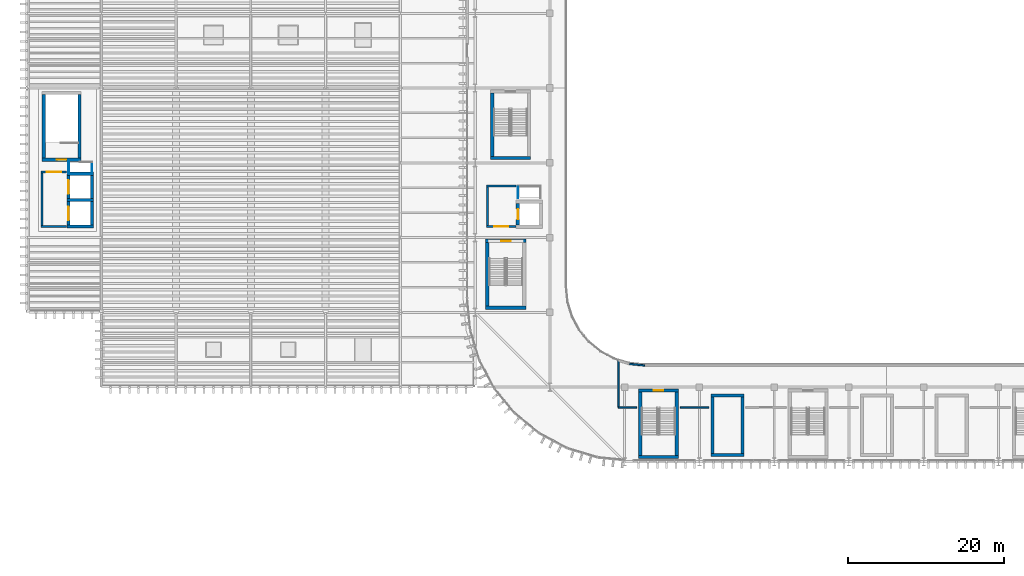
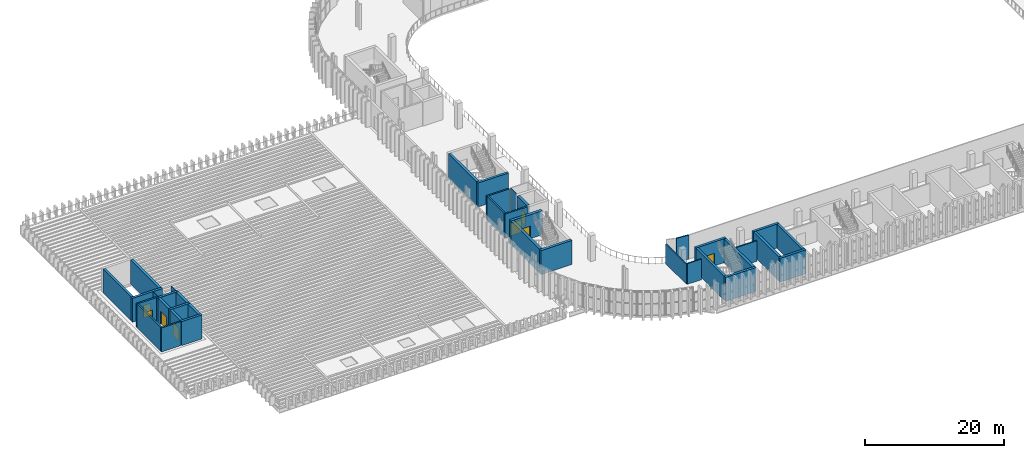
# One storey, part 56 of 92: 37 walls, 8 doors, 8 openings.
"""IFC4 building model written with IfcOpenShell, lengths in metres."""

from ifc_helpers import new_model, si_unit, direction, frame, frame_2d, origin, place, context, subcontext, project, spatial, rectangle, extrude, material, layer, layer_set, type_object, element, fill, save


model = new_model("IFC4")

# Units and contexts
model_context = context("Model", 3, precision=1e-05, world=origin(), true_north=direction((0.0, 1.0)))
body_context = subcontext(model_context, "Body", "Model", "MODEL_VIEW")
ifc_project = project(units=[si_unit("LENGTHUNIT", "METRE"), si_unit("AREAUNIT", "SQUARE_METRE"), si_unit("VOLUMEUNIT", "CUBIC_METRE"), si_unit("PLANEANGLEUNIT", "RADIAN"), si_unit("MASSUNIT", "GRAM", prefix="KILO")], contexts=[model_context])

# Site, building, storey
site_placement = place(None, origin())
site = spatial("IfcSite", under=ifc_project, at=site_placement, CompositionType="ELEMENT")
building_placement = place(site_placement, origin())
building = spatial("IfcBuilding", under=site, at=building_placement, Name="Caelomonte Colonnade Arena", CompositionType="ELEMENT")
storey_placement = place(building_placement, frame((0.0, 0.0, 9.60009765625)))
storey = spatial("IfcBuildingStorey", under=building, at=storey_placement, Name="L02", CompositionType="ELEMENT", Elevation=9.60009765625)

# Wall, opening, door
ifc_material_1 = material(Name="Concrete C40/50", Category="concrete")
ifc_layer_1 = layer(ifc_material_1, 0.260009765625)
ifc_layer_set_1 = layer_set([ifc_layer_1], Name="Concrete C40/50")
wall_type_1 = type_object("IfcWallType", Name="INT-WL-FW26", PredefinedType="SOLIDWALL", material=ifc_layer_set_1)
wall_1_placement = place(storey_placement, frame((59.070068359375, 49.39990234375, 0.0), z_axis=(0.0, 0.0, 1.0), x_axis=(1.0, 0.0, 0.0)))
wall_1 = element("IfcWall", 1, at=wall_1_placement, inside=storey, type_object=wall_type_1, Name="FW-C1-LB L02 south enclosure wall", PredefinedType="SOLIDWALL", context=body_context, shape_type="SweptSolid", body=[
    extrude(rectangle(XDim=3.760009765625, YDim=0.260009765625, at=frame_2d((1.8798828125, 0.0))), origin(), (0.0, 0.0, 1.0), 4.219970703125),
])
opening_1_placement = place(wall_1_placement, frame((2.80517578125, 0.0, 0.0), z_axis=(0.0, 0.0, 1.0), x_axis=(-1.0, 0.0, 0.0)))
opening_1 = element("IfcOpeningElement", 2, at=opening_1_placement, cuts=wall_1, Name="Opening FD-2", PredefinedType="OPENING", context=body_context, shape_type="SweptSolid", body=[
    extrude(rectangle(XDim=1.85009765625, YDim=2.25, at=frame_2d((0.925048828125, 1.125))), frame((0.0, 0.139892578125, 0.0), z_axis=(0.0, -1.0, 0.0), x_axis=(1.0, 0.0, 0.0)), (0.0, 0.0, 1.0), 0.280029296875),
])
ifc_material_2 = material(Name="Fire-rated double steel door", Category="steel")
door_type_1 = type_object("IfcDoorType", Name="INT-DR-FD90B", OperationType="DOUBLE_DOOR_SINGLE_SWING", PredefinedType="DOOR", material=ifc_material_2)
door_1_placement = place(opening_1_placement, origin())
door_1 = element("IfcDoor", 3, at=door_1_placement, inside=storey, type_object=door_type_1, Name="Core C1 L02 lobby fire door", OperationType="DOUBLE_DOOR_SINGLE_SWING", OverallHeight=2.25, OverallWidth=1.85009765625, PredefinedType="DOOR", context=body_context, shape_type="SweptSolid", body=[
    extrude(rectangle(XDim=1.85009765625, YDim=2.25, at=frame_2d((0.925048828125, 1.125))), frame((0.0, 0.02490234375, 0.0), z_axis=(0.0, -1.0, 0.0), x_axis=(1.0, 0.0, 0.0)), (0.0, 0.0, 1.0), 0.050048828125),
])
fill(opening_1, door_1)

# Walls
wall_2_placement = place(storey_placement, frame((62.830078125, 54.60009765625, 0.0), z_axis=(0.0, 0.0, 1.0), x_axis=(-1.0, 0.0, 0.0)))
element("IfcWall", 4, at=wall_2_placement, inside=storey, type_object=wall_type_1, Name="FW-C1-LB L02 north enclosure wall", PredefinedType="SOLIDWALL", context=body_context, shape_type="SweptSolid", body=[
    extrude(rectangle(XDim=3.760009765625, YDim=0.260009765625, at=frame_2d((1.8798828125, 0.0))), origin(), (0.0, 0.0, 1.0), 4.219970703125),
])
wall_3_placement = place(storey_placement, frame((59.199951171875, 54.469970703125, 0.0), z_axis=(0.0, 0.0, 1.0), x_axis=(0.0, -1.0, 0.0)))
element("IfcWall", 5, at=wall_3_placement, inside=storey, type_object=wall_type_1, Name="FW-C1-LB L02 west enclosure wall", PredefinedType="SOLIDWALL", context=body_context, shape_type="SweptSolid", body=[
    extrude(rectangle(XDim=4.93994140625, YDim=0.260009765625, at=frame_2d((2.469970703125, 0.0))), origin(), (0.0, 0.0, 1.0), 4.219970703125),
])
wall_4_placement = place(storey_placement, frame((1.8701171875, 49.39990234375, 0.0), z_axis=(0.0, 0.0, 1.0), x_axis=(1.0, 0.0, 0.0)))
element("IfcWall", 6, at=wall_4_placement, inside=storey, type_object=wall_type_1, Name="FW-C8-LB L02 south enclosure wall", PredefinedType="SOLIDWALL", context=body_context, shape_type="SweptSolid", body=[
    extrude(rectangle(XDim=3.259765625, YDim=0.260009765625, at=frame_2d((1.6298828125, 0.0))), origin(), (0.0, 0.0, 1.0), 4.219970703125),
])

# Wall, opening, door
wall_5_placement = place(storey_placement, frame((5.1298828125, 56.39990234375, 0.0), z_axis=(0.0, 0.0, 1.0), x_axis=(-1.0, 0.0, 0.0)))
wall_5 = element("IfcWall", 7, at=wall_5_placement, inside=storey, type_object=wall_type_1, Name="FW-C8-LB L02 north enclosure wall", PredefinedType="SOLIDWALL", context=body_context, shape_type="SweptSolid", body=[
    extrude(rectangle(XDim=3.259765625, YDim=0.260009765625, at=frame_2d((1.6298828125, 0.0))), origin(), (0.0, 0.0, 1.0), 4.219970703125),
])
opening_2_placement = place(wall_5_placement, frame((2.55517578125, 0.0, 0.0), z_axis=(0.0, 0.0, 1.0), x_axis=(-1.0, 0.0, 0.0)))
opening_2 = element("IfcOpeningElement", 8, at=opening_2_placement, cuts=wall_5, Name="Opening FD-2", PredefinedType="OPENING", context=body_context, shape_type="SweptSolid", body=[
    extrude(rectangle(XDim=1.85009765625, YDim=2.25, at=frame_2d((0.925048828125, 1.125))), frame((0.0, 0.139892578125, 0.0), z_axis=(0.0, -1.0, 0.0), x_axis=(1.0, 0.0, 0.0)), (0.0, 0.0, 1.0), 0.280029296875),
])
door_2_placement = place(opening_2_placement, origin())
door_2 = element("IfcDoor", 9, at=door_2_placement, inside=storey, type_object=door_type_1, Name="Core C8 L02 lobby fire door", OperationType="DOUBLE_DOOR_SINGLE_SWING", OverallHeight=2.25, OverallWidth=1.85009765625, PredefinedType="DOOR", context=body_context, shape_type="SweptSolid", body=[
    extrude(rectangle(XDim=1.85009765625, YDim=2.25, at=frame_2d((0.925048828125, 1.125))), frame((0.0, 0.02490234375, 0.0), z_axis=(0.0, -1.0, 0.0), x_axis=(1.0, 0.0, 0.0)), (0.0, 0.0, 1.0), 0.050048828125),
])
fill(opening_2, door_2)

# Walls
wall_6_placement = place(storey_placement, frame((2.0, 56.27001953125, 0.0), z_axis=(0.0, 0.0, 1.0), x_axis=(0.0, -1.0, 0.0)))
element("IfcWall", 10, at=wall_6_placement, inside=storey, type_object=wall_type_1, Name="FW-C8-LB L02 west enclosure wall", PredefinedType="SOLIDWALL", context=body_context, shape_type="SweptSolid", body=[
    extrude(rectangle(XDim=6.739990234375, YDim=0.260009765625, at=frame_2d((3.3701171875, 0.0))), origin(), (0.0, 0.0, 1.0), 4.219970703125),
])
ifc_material_3 = material(Name="Service shaft lining partition")
ifc_layer_2 = layer(ifc_material_3, 0.10009765625)
ifc_layer_set_2 = layer_set([ifc_layer_2], Name="Service shaft lining partition")
wall_type_2 = type_object("IfcWallType", Name="INT-WL-PT10", PredefinedType="PARTITIONING", material=ifc_layer_set_2)
for number, where, z_axis, x_axis, name in (
    (11, (63.10009765625, 54.550048828125, 0.0), (0.0, 0.0, 1.0), (0.0, -1.0, 0.0), "FW-C1-RS L02 west enclosure wall"),
    (12, (5.39990234375, 57.75, 0.0), (0.0, 0.0, 1.0), (0.0, -1.0, 0.0), "FW-C8-RS L02 west enclosure wall"),
    (13, (8.39990234375, 56.25, 0.0), (0.0, 0.0, 1.0), (0.0, 1.0, 0.0), "FW-C8-RS L02 east enclosure wall"),
):
    element("IfcWall", number, at=place(storey_placement, frame(where, z_axis=z_axis, x_axis=x_axis)), inside=storey, type_object=wall_type_2, Name=name, PredefinedType="PARTITIONING", context=body_context, shape_type="SweptSolid", body=[
        extrude(rectangle(XDim=1.5, YDim=0.10009765625, at=frame_2d((0.75, 0.0))), origin(), (0.0, 0.0, 1.0), 4.219970703125),
    ])
ifc_material_4 = material(Name="Fire-rated gypsum stud partition")
ifc_layer_3 = layer(ifc_material_4, 0.199951171875)
ifc_layer_set_3 = layer_set([ifc_layer_3], Name="Fire-rated gypsum stud partition")
wall_type_3 = type_object("IfcWallType", Name="INT-WL-PT20", PredefinedType="PARTITIONING", material=ifc_layer_set_3)
wall_7_placement = place(storey_placement, frame((77.427490234375, 31.773193359375, 0.0), z_axis=(0.0, 0.0, 1.0), x_axis=(0.995185270943, -0.098011614095, 0.0)))
element("IfcWall", 14, at=wall_7_placement, inside=storey, type_object=wall_type_3, Name="L02 Club Lounge South partition 144", PredefinedType="PARTITIONING", context=body_context, shape_type="SweptSolid", body=[
    extrude(rectangle(XDim=1.96044921875, YDim=0.199951171875, at=frame_2d((0.980224609375, 0.0))), origin(), (0.0, 0.0, 1.0), 4.219970703125),
])
wall_8_placement = place(storey_placement, frame((87.6201171875, 26.199951171875, 0.0), z_axis=(0.0, 0.0, 1.0), x_axis=(-1.0, 0.0, 0.0)))
element("IfcWall", 15, at=wall_8_placement, inside=storey, type_object=wall_type_3, Name="L02 Club Lounge South partition 155", PredefinedType="PARTITIONING", context=body_context, shape_type="SweptSolid", body=[
    extrude(rectangle(XDim=3.670166015625, YDim=0.199951171875, at=frame_2d((1.8349609375, 0.0))), origin(), (0.0, 0.0, 1.0), 3.61279296875),
])
wall_9_placement = place(storey_placement, frame((78.35009765625, 26.199951171875, 0.0), z_axis=(0.0, 0.0, 1.0), x_axis=(-1.0, 0.0, 0.0)))
element("IfcWall", 16, at=wall_9_placement, inside=storey, type_object=wall_type_3, Name="L02 Club Lounge South partition 156", PredefinedType="PARTITIONING", context=body_context, shape_type="SweptSolid", body=[
    extrude(rectangle(XDim=2.35009765625, YDim=0.199951171875, at=frame_2d((1.175048828125, 0.0))), origin(), (0.0, 0.0, 1.0), 3.61279296875),
])
wall_10_placement = place(storey_placement, frame((76.0, 26.199951171875, 0.0), z_axis=(0.0, 0.0, 1.0), x_axis=(0.0, 1.0, 0.0)))
element("IfcWall", 17, at=wall_10_placement, inside=storey, type_object=wall_type_3, Name="L02 Club Lounge South partition 157", PredefinedType="PARTITIONING", context=body_context, shape_type="SweptSolid", body=[
    extrude(rectangle(XDim=6.0, YDim=0.199951171875, at=frame_2d((3.0, 0.0))), origin(), (0.0, 0.0, 1.0), 3.465576171875),
])

# Wall, opening, door
ifc_material_5 = material(Name="Concrete C50/60", Category="concrete")
ifc_layer_4 = layer(ifc_material_5, 0.39990234375)
ifc_layer_set_4 = layer_set([ifc_layer_4], Name="Concrete C50/60")
wall_type_4 = type_object("IfcWallType", Name="INT-WL-SH40", PredefinedType="SHEAR", material=ifc_layer_set_4)
wall_11_placement = place(storey_placement, frame((2.0, 58.0, 0.0), z_axis=(0.0, 0.0, 1.0), x_axis=(1.0, 0.0, 0.0)))
wall_11 = element("IfcWall", 18, at=wall_11_placement, inside=storey, type_object=wall_type_4, Name="CW-C8-ST L02 south enclosure wall", PredefinedType="SHEAR", context=body_context, shape_type="SweptSolid", body=[
    extrude(rectangle(XDim=5.0, YDim=0.39990234375, at=frame_2d((2.5, 0.0))), origin(), (0.0, 0.0, 1.0), 4.219970703125),
])
opening_3_placement = place(wall_11_placement, frame((3.099853515625, 0.0, 0.0), z_axis=(0.0, 0.0, 1.0), x_axis=(-1.0, 0.0, 0.0)))
opening_3 = element("IfcOpeningElement", 19, at=opening_3_placement, cuts=wall_11, Name="Opening FD-1", PredefinedType="OPENING", context=body_context, shape_type="SweptSolid", body=[
    extrude(rectangle(XDim=1.199951171875, YDim=2.199951171875, at=frame_2d((0.60009765625, 1.10009765625))), frame((0.0, 0.2099609375, 0.0), z_axis=(0.0, -1.0, 0.0), x_axis=(1.0, 0.0, 0.0)), (0.0, 0.0, 1.0), 0.419921875),
])
ifc_material_6 = material(Name="Fire-rated steel door", Category="steel")
door_type_2 = type_object("IfcDoorType", Name="INT-DR-FD90A", OperationType="NOTDEFINED", PredefinedType="DOOR", material=ifc_material_6)
door_3_placement = place(opening_3_placement, origin())
door_3 = element("IfcDoor", 20, at=door_3_placement, inside=storey, type_object=door_type_2, Name="Core C8 L02 exit stair fire door", OperationType="SINGLE_SWING_LEFT", OverallHeight=2.199951171875, OverallWidth=1.199951171875, PredefinedType="DOOR", context=body_context, shape_type="SweptSolid", body=[
    extrude(rectangle(XDim=1.199951171875, YDim=2.199951171875, at=frame_2d((0.60009765625, 1.10009765625))), frame((0.0, 0.02490234375, 0.0), z_axis=(0.0, -1.0, 0.0), x_axis=(1.0, 0.0, 0.0)), (0.0, 0.0, 1.0), 0.050048828125),
])
fill(opening_3, door_3)

# Walls
for number, where, z_axis, x_axis, name in (
    (21, (2.199951171875, 66.35009765625, 0.0), (0.0, 0.0, 1.0), (0.0, -1.0, 0.0), "CW-C8-ST L02 west enclosure wall"),
    (22, (6.800048828125, 58.199951171875, 0.0), (0.0, 0.0, 1.0), (0.0, 1.0, 0.0), "CW-C8-ST L02 east enclosure wall"),
):
    element("IfcWall", number, at=place(storey_placement, frame(where, z_axis=z_axis, x_axis=x_axis)), inside=storey, type_object=wall_type_4, Name=name, PredefinedType="SHEAR", context=body_context, shape_type="SweptSolid", body=[
        extrude(rectangle(XDim=8.150146484375, YDim=0.39990234375, at=frame_2d((4.0751953125, 0.0))), origin(), (0.0, 0.0, 1.0), 4.219970703125),
    ])
for number, where, z_axis, x_axis, name in (
    (23, (5.199951171875, 49.39990234375, 0.0), (0.0, 0.0, 1.0), (1.0, 0.0, 0.0), "CW-C8-LF L02 south enclosure wall"),
    (24, (8.60009765625, 52.800048828125, 0.0), (0.0, 0.0, 1.0), (-1.0, 0.0, 0.0), "CW-C8-LF L02 north enclosure wall"),
):
    element("IfcWall", number, at=place(storey_placement, frame(where, z_axis=z_axis, x_axis=x_axis)), inside=storey, type_object=wall_type_4, Name=name, PredefinedType="SHEAR", context=body_context, shape_type="SweptSolid", body=[
        extrude(rectangle(XDim=3.400146484375, YDim=0.39990234375, at=frame_2d((1.7001953125, 0.0))), origin(), (0.0, 0.0, 1.0), 4.219970703125),
    ])

# Wall, opening, door
wall_12_placement = place(storey_placement, frame((5.39990234375, 52.60009765625, 0.0), z_axis=(0.0, 0.0, 1.0), x_axis=(0.0, -1.0, 0.0)))
wall_12 = element("IfcWall", 25, at=wall_12_placement, inside=storey, type_object=wall_type_4, Name="CW-C8-LF L02 west enclosure wall", PredefinedType="SHEAR", context=body_context, shape_type="SweptSolid", body=[
    extrude(rectangle(XDim=3.0, YDim=0.39990234375, at=frame_2d((1.5, 0.0))), origin(), (0.0, 0.0, 1.0), 4.219970703125),
])
opening_4_placement = place(wall_12_placement, frame((0.625, 0.0, 0.0), z_axis=(0.0, 0.0, 1.0), x_axis=(1.0, 0.0, 0.0)))
opening_4 = element("IfcOpeningElement", 26, at=opening_4_placement, cuts=wall_12, Name="Opening LD-LF-07-L02", PredefinedType="OPENING", context=body_context, shape_type="SweptSolid", body=[
    extrude(rectangle(XDim=1.75, YDim=2.35009765625, at=frame_2d((0.875, 1.175048828125))), frame((0.0, 0.2099609375, 0.0), z_axis=(0.0, -1.0, 0.0), x_axis=(1.0, 0.0, 0.0)), (0.0, 0.0, 1.0), 0.419921875),
])
ifc_material_7 = material(Name="Goods lift sliding landing door")
door_type_3 = type_object("IfcDoorType", Name="INT-DR-LD3", OperationType="SLIDING_TO_LEFT", PredefinedType="DOOR", material=ifc_material_7)
door_4_placement = place(opening_4_placement, origin())
door_4 = element("IfcDoor", 27, at=door_4_placement, inside=storey, type_object=door_type_3, Name="Lift LF-07 L02 sliding landing door", OperationType="SLIDING_TO_LEFT", OverallHeight=2.35009765625, OverallWidth=1.75, PredefinedType="DOOR", context=body_context, shape_type="SweptSolid", body=[
    extrude(rectangle(XDim=1.75, YDim=2.35009765625, at=frame_2d((0.875, 1.175048828125))), frame((0.0, 0.02490234375, 0.0), z_axis=(0.0, -1.0, 0.0), x_axis=(1.0, 0.0, 0.0)), (0.0, 0.0, 1.0), 0.050048828125),
])
fill(opening_4, door_4)

# Walls
wall_13_placement = place(storey_placement, frame((8.39990234375, 49.60009765625, 0.0), z_axis=(0.0, 0.0, 1.0), x_axis=(0.0, 1.0, 0.0)))
element("IfcWall", 28, at=wall_13_placement, inside=storey, type_object=wall_type_4, Name="CW-C8-LF L02 east enclosure wall", PredefinedType="SHEAR", context=body_context, shape_type="SweptSolid", body=[
    extrude(rectangle(XDim=3.0, YDim=0.39990234375, at=frame_2d((1.5, 0.0))), origin(), (0.0, 0.0, 1.0), 4.219970703125),
])
wall_14_placement = place(storey_placement, frame((8.60009765625, 56.199951171875, 0.0), z_axis=(0.0, 0.0, 1.0), x_axis=(-1.0, 0.0, 0.0)))
element("IfcWall", 29, at=wall_14_placement, inside=storey, type_object=wall_type_4, Name="CW-C8-LF2 L02 north enclosure wall", PredefinedType="SHEAR", context=body_context, shape_type="SweptSolid", body=[
    extrude(rectangle(XDim=3.400146484375, YDim=0.39990234375, at=frame_2d((1.7001953125, 0.0))), origin(), (0.0, 0.0, 1.0), 4.219970703125),
])

# Wall, opening, door
wall_15_placement = place(storey_placement, frame((5.39990234375, 56.0, 0.0), z_axis=(0.0, 0.0, 1.0), x_axis=(0.0, -1.0, 0.0)))
wall_15 = element("IfcWall", 30, at=wall_15_placement, inside=storey, type_object=wall_type_4, Name="CW-C8-LF2 L02 west enclosure wall", PredefinedType="SHEAR", context=body_context, shape_type="SweptSolid", body=[
    extrude(rectangle(XDim=3.0, YDim=0.39990234375, at=frame_2d((1.5, 0.0))), origin(), (0.0, 0.0, 1.0), 4.219970703125),
])
opening_5_placement = place(wall_15_placement, frame((0.625, 0.0, 0.0), z_axis=(0.0, 0.0, 1.0), x_axis=(1.0, 0.0, 0.0)))
opening_5 = element("IfcOpeningElement", 31, at=opening_5_placement, cuts=wall_15, Name="Opening LD-LF-08-L02", PredefinedType="OPENING", context=body_context, shape_type="SweptSolid", body=[
    extrude(rectangle(XDim=1.75, YDim=2.35009765625, at=frame_2d((0.875, 1.175048828125))), frame((0.0, 0.2099609375, 0.0), z_axis=(0.0, -1.0, 0.0), x_axis=(1.0, 0.0, 0.0)), (0.0, 0.0, 1.0), 0.419921875),
])
door_5_placement = place(opening_5_placement, origin())
door_5 = element("IfcDoor", 32, at=door_5_placement, inside=storey, type_object=door_type_3, Name="Lift LF-08 L02 sliding landing door", OperationType="SLIDING_TO_LEFT", OverallHeight=2.35009765625, OverallWidth=1.75, PredefinedType="DOOR", context=body_context, shape_type="SweptSolid", body=[
    extrude(rectangle(XDim=1.75, YDim=2.35009765625, at=frame_2d((0.875, 1.175048828125))), frame((0.0, 0.02490234375, 0.0), z_axis=(0.0, -1.0, 0.0), x_axis=(1.0, 0.0, 0.0)), (0.0, 0.0, 1.0), 0.050048828125),
])
fill(opening_5, door_5)

# Walls
wall_16_placement = place(storey_placement, frame((8.39990234375, 53.0, 0.0), z_axis=(0.0, 0.0, 1.0), x_axis=(0.0, 1.0, 0.0)))
element("IfcWall", 33, at=wall_16_placement, inside=storey, type_object=wall_type_4, Name="CW-C8-LF2 L02 east enclosure wall", PredefinedType="SHEAR", context=body_context, shape_type="SweptSolid", body=[
    extrude(rectangle(XDim=3.0, YDim=0.39990234375, at=frame_2d((1.5, 0.0))), origin(), (0.0, 0.0, 1.0), 4.219970703125),
])
wall_17_placement = place(storey_placement, frame((59.60009765625, 58.199951171875, 0.0), z_axis=(0.0, 0.0, 1.0), x_axis=(1.0, 0.0, 0.0)))
element("IfcWall", 34, at=wall_17_placement, inside=storey, type_object=wall_type_4, Name="CW-ST-09 L02 south enclosure wall", PredefinedType="SHEAR", context=body_context, shape_type="SweptSolid", body=[
    extrude(rectangle(XDim=5.099853515625, YDim=0.39990234375, at=frame_2d((2.5498046875, 0.0))), origin(), (0.0, 0.0, 1.0), 4.219970703125),
])
wall_18_placement = place(storey_placement, frame((59.800048828125, 66.550048828125, 0.0), z_axis=(0.0, 0.0, 1.0), x_axis=(0.0, -1.0, 0.0)))
element("IfcWall", 35, at=wall_18_placement, inside=storey, type_object=wall_type_4, Name="CW-ST-09 L02 west enclosure wall", PredefinedType="SHEAR", context=body_context, shape_type="SweptSolid", body=[
    extrude(rectangle(XDim=8.150146484375, YDim=0.39990234375, at=frame_2d((4.0751953125, 0.0))), origin(), (0.0, 0.0, 1.0), 4.219970703125),
])
wall_19_placement = place(storey_placement, frame((78.60009765625, 19.800048828125, 0.0), z_axis=(0.0, 0.0, 1.0), x_axis=(1.0, 0.0, 0.0)))
element("IfcWall", 36, at=wall_19_placement, inside=storey, type_object=wall_type_4, Name="CW-ST-11 L02 south enclosure wall", PredefinedType="SHEAR", context=body_context, shape_type="SweptSolid", body=[
    extrude(rectangle(XDim=5.099853515625, YDim=0.39990234375, at=frame_2d((2.5498046875, 0.0))), origin(), (0.0, 0.0, 1.0), 4.219970703125),
])

# Wall, opening, door
wall_20_placement = place(storey_placement, frame((83.699951171875, 28.35009765625, 0.0), z_axis=(0.0, 0.0, 1.0), x_axis=(-1.0, 0.0, 0.0)))
wall_20 = element("IfcWall", 37, at=wall_20_placement, inside=storey, type_object=wall_type_4, Name="CW-ST-11 L02 north enclosure wall", PredefinedType="SHEAR", context=body_context, shape_type="SweptSolid", body=[
    extrude(rectangle(XDim=5.099853515625, YDim=0.39990234375, at=frame_2d((2.5498046875, 0.0))), origin(), (0.0, 0.0, 1.0), 4.219970703125),
])
opening_6_placement = place(wall_20_placement, frame((3.14990234375, 0.0, 0.0), z_axis=(0.0, 0.0, 1.0), x_axis=(-1.0, 0.0, 0.0)))
opening_6 = element("IfcOpeningElement", 38, at=opening_6_placement, cuts=wall_20, Name="Opening FD-1", PredefinedType="OPENING", context=body_context, shape_type="SweptSolid", body=[
    extrude(rectangle(XDim=1.199951171875, YDim=2.199951171875, at=frame_2d((0.60009765625, 1.10009765625))), frame((0.0, 0.2099609375, 0.0), z_axis=(0.0, -1.0, 0.0), x_axis=(1.0, 0.0, 0.0)), (0.0, 0.0, 1.0), 0.419921875),
])
door_6_placement = place(opening_6_placement, origin())
door_6 = element("IfcDoor", 39, at=door_6_placement, inside=storey, type_object=door_type_2, Name="Protected exit stair ST-11 L02 fire door", OperationType="SINGLE_SWING_LEFT", OverallHeight=2.199951171875, OverallWidth=1.199951171875, PredefinedType="DOOR", context=body_context, shape_type="SweptSolid", body=[
    extrude(rectangle(XDim=1.199951171875, YDim=2.199951171875, at=frame_2d((0.60009765625, 1.10009765625))), frame((0.0, 0.02490234375, 0.0), z_axis=(0.0, -1.0, 0.0), x_axis=(1.0, 0.0, 0.0)), (0.0, 0.0, 1.0), 0.050048828125),
])
fill(opening_6, door_6)

# Walls
for number, where, z_axis, x_axis, name in (
    (40, (78.800048828125, 28.14990234375, 0.0), (0.0, 0.0, 1.0), (0.0, -1.0, 0.0), "CW-ST-11 L02 west enclosure wall"),
    (41, (83.5, 20.0, 0.0), (0.0, 0.0, 1.0), (0.0, 1.0, 0.0), "CW-ST-11 L02 east enclosure wall"),
):
    element("IfcWall", number, at=place(storey_placement, frame(where, z_axis=z_axis, x_axis=x_axis)), inside=storey, type_object=wall_type_4, Name=name, PredefinedType="SHEAR", context=body_context, shape_type="SweptSolid", body=[
        extrude(rectangle(XDim=8.14990234375, YDim=0.39990234375, at=frame_2d((4.074951171875, 0.0))), origin(), (0.0, 0.0, 1.0), 4.219970703125),
    ])
for number, where, z_axis, x_axis, name in (
    (42, (87.8701171875, 20.070068359375, 0.0), (0.0, 0.0, 1.0), (1.0, 0.0, 0.0), "CW-ST-V09 L02 south enclosure wall"),
    (43, (92.1298828125, 27.72998046875, 0.0), (0.0, 0.0, 1.0), (-1.0, 0.0, 0.0), "CW-ST-V09 L02 north enclosure wall"),
):
    element("IfcWall", number, at=place(storey_placement, frame(where, z_axis=z_axis, x_axis=x_axis)), inside=storey, type_object=wall_type_4, Name=name, PredefinedType="SHEAR", context=body_context, shape_type="SweptSolid", body=[
        extrude(rectangle(XDim=4.259765625, YDim=0.39990234375, at=frame_2d((2.1298828125, 0.0))), origin(), (0.0, 0.0, 1.0), 4.219970703125),
    ])
for number, where, z_axis, x_axis, name in (
    (44, (88.070068359375, 27.530029296875, 0.0), (0.0, 0.0, 1.0), (0.0, -1.0, 0.0), "CW-ST-V09 L02 west enclosure wall"),
    (45, (91.929931640625, 20.27001953125, 0.0), (0.0, 0.0, 1.0), (0.0, 1.0, 0.0), "CW-ST-V09 L02 east enclosure wall"),
):
    element("IfcWall", number, at=place(storey_placement, frame(where, z_axis=z_axis, x_axis=x_axis)), inside=storey, type_object=wall_type_4, Name=name, PredefinedType="SHEAR", context=body_context, shape_type="SweptSolid", body=[
        extrude(rectangle(XDim=7.260009765625, YDim=0.39990234375, at=frame_2d((3.6298828125, 0.0))), origin(), (0.0, 0.0, 1.0), 4.219970703125),
    ])
ifc_layer_5 = layer(ifc_material_5, 0.449951171875)
ifc_layer_set_5 = layer_set([ifc_layer_5], Name="Concrete C50/60")
wall_type_5 = type_object("IfcWallType", Name="INT-WL-SH45", PredefinedType="SHEAR", material=ifc_layer_set_5)
wall_21_placement = place(storey_placement, frame((58.949951171875, 38.97509765625, 0.0), z_axis=(0.0, 0.0, 1.0), x_axis=(1.0, 0.0, 0.0)))
element("IfcWall", 46, at=wall_21_placement, inside=storey, type_object=wall_type_5, Name="CW-C1-ST L02 south enclosure wall", PredefinedType="SHEAR", context=body_context, shape_type="SweptSolid", body=[
    extrude(rectangle(XDim=5.199951171875, YDim=0.449951171875, at=frame_2d((2.60009765625, 0.0))), origin(), (0.0, 0.0, 1.0), 4.219970703125),
])

# Wall, opening, door
wall_22_placement = place(storey_placement, frame((64.14990234375, 47.574951171875, 0.0), z_axis=(0.0, 0.0, 1.0), x_axis=(-1.0, 0.0, 0.0)))
wall_22 = element("IfcWall", 47, at=wall_22_placement, inside=storey, type_object=wall_type_5, Name="CW-C1-ST L02 north enclosure wall", PredefinedType="SHEAR", context=body_context, shape_type="SweptSolid", body=[
    extrude(rectangle(XDim=5.199951171875, YDim=0.449951171875, at=frame_2d((2.60009765625, 0.0))), origin(), (0.0, 0.0, 1.0), 4.219970703125),
])
opening_7_placement = place(wall_22_placement, frame((3.199951171875, 0.0, 0.0), z_axis=(0.0, 0.0, 1.0), x_axis=(-1.0, 0.0, 0.0)))
opening_7 = element("IfcOpeningElement", 48, at=opening_7_placement, cuts=wall_22, Name="Opening FD-1", PredefinedType="OPENING", context=body_context, shape_type="SweptSolid", body=[
    extrude(rectangle(XDim=1.199951171875, YDim=2.199951171875, at=frame_2d((0.60009765625, 1.10009765625))), frame((0.0, 0.23486328125, 0.0), z_axis=(0.0, -1.0, 0.0), x_axis=(1.0, 0.0, 0.0)), (0.0, 0.0, 1.0), 0.469970703125),
])
door_7_placement = place(opening_7_placement, origin())
door_7 = element("IfcDoor", 49, at=door_7_placement, inside=storey, type_object=door_type_2, Name="Core C1 L02 exit stair fire door", OperationType="SINGLE_SWING_LEFT", OverallHeight=2.199951171875, OverallWidth=1.199951171875, PredefinedType="DOOR", context=body_context, shape_type="SweptSolid", body=[
    extrude(rectangle(XDim=1.199951171875, YDim=2.199951171875, at=frame_2d((0.60009765625, 1.10009765625))), frame((0.0, 0.02490234375, 0.0), z_axis=(0.0, -1.0, 0.0), x_axis=(1.0, 0.0, 0.0)), (0.0, 0.0, 1.0), 0.050048828125),
])
fill(opening_7, door_7)

# Wall
wall_23_placement = place(storey_placement, frame((59.175048828125, 47.35009765625, 0.0), z_axis=(0.0, 0.0, 1.0), x_axis=(0.0, -1.0, 0.0)))
element("IfcWall", 50, at=wall_23_placement, inside=storey, type_object=wall_type_5, Name="CW-C1-ST L02 west enclosure wall", PredefinedType="SHEAR", context=body_context, shape_type="SweptSolid", body=[
    extrude(rectangle(XDim=8.150146484375, YDim=0.449951171875, at=frame_2d((4.0751953125, 0.0))), origin(), (0.0, 0.0, 1.0), 4.219970703125),
])

# Wall, opening, door
wall_24_placement = place(storey_placement, frame((63.10009765625, 52.375, 0.0), z_axis=(0.0, 0.0, 1.0), x_axis=(0.0, -1.0, 0.0)))
wall_24 = element("IfcWall", 51, at=wall_24_placement, inside=storey, type_object=wall_type_5, Name="CW-C1-LF L02 west enclosure wall", PredefinedType="SHEAR", context=body_context, shape_type="SweptSolid", body=[
    extrude(rectangle(XDim=2.75, YDim=0.449951171875, at=frame_2d((1.375, 0.0))), origin(), (0.0, 0.0, 1.0), 4.219970703125),
])
opening_8_placement = place(wall_24_placement, frame((0.72509765625, 0.0, 0.0), z_axis=(0.0, 0.0, 1.0), x_axis=(1.0, 0.0, 0.0)))
opening_8 = element("IfcOpeningElement", 52, at=opening_8_placement, cuts=wall_24, Name="Opening LD-FL-01-L02", PredefinedType="OPENING", context=body_context, shape_type="SweptSolid", body=[
    extrude(rectangle(XDim=1.300048828125, YDim=2.25, at=frame_2d((0.64990234375, 1.125))), frame((0.0, 0.23486328125, 0.0), z_axis=(0.0, -1.0, 0.0), x_axis=(1.0, 0.0, 0.0)), (0.0, 0.0, 1.0), 0.469970703125),
])
ifc_material_8 = material(Name="Firefighting lift landing door")
door_type_4 = type_object("IfcDoorType", Name="INT-DR-LD2", OperationType="SLIDING_TO_RIGHT", PredefinedType="DOOR", material=ifc_material_8)
door_8_placement = place(opening_8_placement, origin())
door_8 = element("IfcDoor", 53, at=door_8_placement, inside=storey, type_object=door_type_4, Name="Lift FL-01 L02 sliding landing door", OperationType="SLIDING_TO_RIGHT", OverallHeight=2.25, OverallWidth=1.300048828125, PredefinedType="DOOR", context=body_context, shape_type="SweptSolid", body=[
    extrude(rectangle(XDim=1.300048828125, YDim=2.25, at=frame_2d((0.64990234375, 1.125))), frame((0.0, 0.02490234375, 0.0), z_axis=(0.0, -1.0, 0.0), x_axis=(1.0, 0.0, 0.0)), (0.0, 0.0, 1.0), 0.050048828125),
])
fill(opening_8, door_8)

save(model, "model.ifc")
